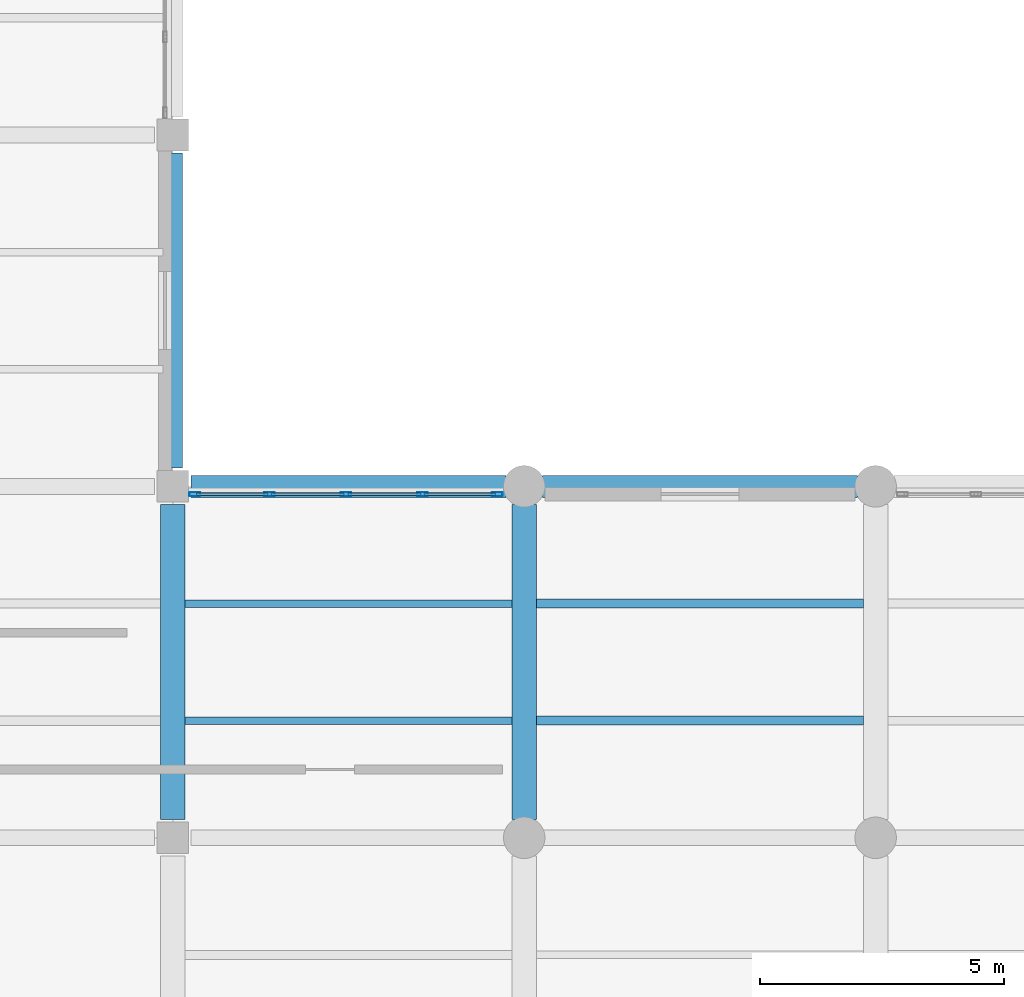
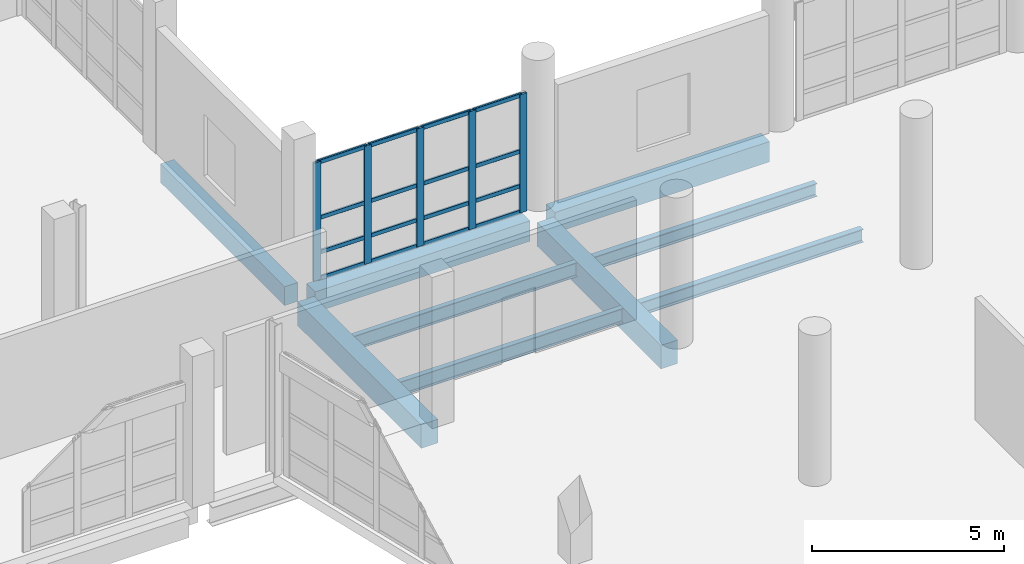
# One storey, part 72 of 127: 21 members, 9 beams, 1 element without a shape of its own.
"""IFC4 building model written with IfcOpenShell, lengths in metres."""

from ifc_helpers import new_model, si_unit, direction, frame, origin, origin_2d, place, context, subcontext, project, spatial, rectangle, hollow_rectangle, i_section, extrude, material, material_profile, profile_set, type_object, element, aggregate, save


model = new_model("IFC4")

# Units and contexts
model_context = context("Model", 3, precision=1e-05, world=origin(), true_north=direction((0.0, 1.0)))
body_context = subcontext(model_context, "Body", "Model", "MODEL_VIEW")
ifc_project = project(units=[si_unit("LENGTHUNIT", "METRE"), si_unit("AREAUNIT", "SQUARE_METRE"), si_unit("VOLUMEUNIT", "CUBIC_METRE"), si_unit("PLANEANGLEUNIT", "RADIAN"), si_unit("MASSUNIT", "GRAM", prefix="KILO")], contexts=[model_context])

# Site, building, storey
site_placement = place(None, origin())
site = spatial("IfcSite", under=ifc_project, at=site_placement, CompositionType="ELEMENT")
building_placement = place(site_placement, origin())
building = spatial("IfcBuilding", under=site, at=building_placement, Name="Kalmorath City Hall", CompositionType="ELEMENT")
storey_placement = place(building_placement, frame((0.0, 0.0, 5.39990234375)))
storey = spatial("IfcBuildingStorey", under=building, at=storey_placement, Name="L01", CompositionType="ELEMENT", Elevation=5.39990234375)

# Beams
ifc_material_1 = material(Name="Concrete C40/50", Category="concrete")
ifc_material_profile_1 = material_profile(ifc_material_1, rectangle(XDim=0.39990234375, YDim=0.60009765625, at=origin_2d()), Name="RC-BM-400X600")
ifc_profile_set_1 = profile_set([ifc_material_profile_1], Name="Concrete C40/50")
beam_type_1 = type_object("IfcBeamType", Name="Concrete edge beam 400x600", PredefinedType="SPANDREL", material=ifc_profile_set_1)
beam_placement = place(storey_placement, frame((129.60009765625, 101.175048828125, -0.6240234375), z_axis=(0.0, 1.0, 0.0), x_axis=(-1.0, 0.0, 0.0)))
element("IfcBeam", 1, at=beam_placement, inside=storey, type_object=beam_type_1, Name="L01 girder CB6 Y19/15-16", PredefinedType="SPANDREL", context=body_context, shape_type="SweptSolid", body=[
    extrude(rectangle(XDim=0.39990234375, YDim=0.60009765625, at=origin_2d()), origin(), (0.0, 0.0, 1.0), 6.449951171875),
])
ifc_material_2 = material(Name="Concrete C40/50", Category="concrete")
ifc_material_profile_2 = material_profile(ifc_material_2, rectangle(XDim=0.5, YDim=0.75, at=origin_2d()), Name="RC-BM-500X750")
ifc_profile_set_2 = profile_set([ifc_material_profile_2], Name="Concrete C40/50")
beam_type_2 = type_object("IfcBeamType", Name="Concrete floor beam 500x750", PredefinedType="BEAM", material=ifc_profile_set_2)
for number, where, z_axis, x_axis, name in (
    (2, (129.60009765625, 93.97509765625, -0.698974609375), (0.0, 1.0, 0.0), (-1.0, 0.0, 0.0), "L01 girder CB3 Y19/14-15"),
    (3, (136.800048828125, 93.97509765625, -0.698974609375), (0.0, 1.0, 0.0), (-1.0, 0.0, 0.0), "L01 girder CB3 Y20/14-15"),
):
    element("IfcBeam", number, at=place(storey_placement, frame(where, z_axis=z_axis, x_axis=x_axis)), inside=storey, type_object=beam_type_2, Name=name, PredefinedType="BEAM", context=body_context, shape_type="SweptSolid", body=[
        extrude(rectangle(XDim=0.5, YDim=0.75, at=origin_2d()), origin(), (0.0, 0.0, 1.0), 6.449951171875),
    ])
ifc_material_3 = material(Name="Concrete C40/50", Category="concrete")
ifc_material_profile_3 = material_profile(ifc_material_3, rectangle(XDim=0.449951171875, YDim=0.64990234375, at=origin_2d()), Name="RC-BM-450X650")
ifc_profile_set_3 = profile_set([ifc_material_profile_3], Name="Concrete C40/50")
beam_type_3 = type_object("IfcBeamType", Name="Concrete spandrel beam 450x650", PredefinedType="SPANDREL", material=ifc_profile_set_3)
for number, where, z_axis, x_axis, name in (
    (4, (129.97509765625, 100.800048828125, -0.64892578125), (1.0, 0.0, 0.0), (0.0, 1.0, 0.0), "L01 girder CB5 X19-20/15"),
    (5, (137.175048828125, 100.800048828125, -0.64892578125), (1.0, 0.0, 0.0), (0.0, 1.0, 0.0), "L01 girder CB5 X20-21/15"),
):
    element("IfcBeam", number, at=place(storey_placement, frame(where, z_axis=z_axis, x_axis=x_axis)), inside=storey, type_object=beam_type_3, Name=name, PredefinedType="SPANDREL", context=body_context, shape_type="SweptSolid", body=[
        extrude(rectangle(XDim=0.449951171875, YDim=0.64990234375, at=origin_2d()), origin(), (0.0, 0.0, 1.0), 6.449951171875),
    ])

# Curtain wall, members
ifc_material_4 = material(Name="Anodised aluminium and laminated glass", Category="aluminium")
curtain_wall_type = type_object("IfcCurtainWallType", Name="Unitised hurricane curtain wall 6270x3751 M1650", PredefinedType="NOTDEFINED", material=ifc_material_4)
curtain_wall_placement = place(storey_placement, origin())
curtain_wall = element("IfcCurtainWall", 6, at=curtain_wall_placement, inside=storey, type_object=curtain_wall_type, Name="L01 curtain wall CW-63X38M16 #60", PredefinedType="NOTDEFINED")
ifc_material_5 = material(Name="Anodised aluminium framing", Category="aluminium")
ifc_material_profile_4 = material_profile(ifc_material_5, hollow_rectangle(XDim=0.06005859375, YDim=0.1298828125, WallThickness=0.00341796875, InnerFilletRadius=0.00341796875, OuterFilletRadius=0.007080078125, at=origin_2d()), Name="ALU-TRN-130X60X3.5")
ifc_profile_set_4 = profile_set([ifc_material_profile_4], Name="Anodised aluminium framing")
member_type_1 = type_object("IfcMemberType", Name="Curtain-wall courtyard transom 130x60", PredefinedType="USERDEFINED", material=ifc_profile_set_4)
member_1_placement = place(storey_placement, frame((130.090087890625, 100.639892578125, 0.030029296875), z_axis=(1.0, 0.0, 0.0), x_axis=(0.0, 1.0, 0.0)))
member_1 = element("IfcMember", 7, at=member_1_placement, type_object=member_type_1, Name="CW-63X38M16 transom 1.1", ObjectType="TRANSOM", PredefinedType="USERDEFINED", context=body_context, shape_type="SweptSolid", body=[
    extrude(hollow_rectangle(XDim=0.06005859375, YDim=0.1298828125, WallThickness=0.00341796875, InnerFilletRadius=0.00341796875, OuterFilletRadius=0.007080078125, at=origin_2d()), origin(), (0.0, 0.0, 1.0), 1.454833984375),
])
member_2_placement = place(storey_placement, frame((130.090087890625, 100.639892578125, 0.85009765625), z_axis=(1.0, 0.0, 0.0), x_axis=(0.0, 1.0, 0.0)))
member_2 = element("IfcMember", 8, at=member_2_placement, type_object=member_type_1, Name="CW-63X38M16 transom 1.2", ObjectType="TRANSOM", PredefinedType="USERDEFINED", context=body_context, shape_type="SweptSolid", body=[
    extrude(hollow_rectangle(XDim=0.06005859375, YDim=0.1298828125, WallThickness=0.00341796875, InnerFilletRadius=0.00341796875, OuterFilletRadius=0.007080078125, at=origin_2d()), origin(), (0.0, 0.0, 1.0), 1.454833984375),
])
member_3_placement = place(storey_placement, frame((130.090087890625, 100.639892578125, 1.951171875), z_axis=(1.0, 0.0, 0.0), x_axis=(0.0, 1.0, 0.0)))
member_3 = element("IfcMember", 9, at=member_3_placement, type_object=member_type_1, Name="CW-63X38M16 transom 1.3", ObjectType="TRANSOM", PredefinedType="USERDEFINED", context=body_context, shape_type="SweptSolid", body=[
    extrude(hollow_rectangle(XDim=0.06005859375, YDim=0.1298828125, WallThickness=0.00341796875, InnerFilletRadius=0.00341796875, OuterFilletRadius=0.007080078125, at=origin_2d()), origin(), (0.0, 0.0, 1.0), 1.454833984375),
])
member_4_placement = place(storey_placement, frame((130.090087890625, 100.639892578125, 3.72119140625), z_axis=(1.0, 0.0, 0.0), x_axis=(0.0, 1.0, 0.0)))
member_4 = element("IfcMember", 10, at=member_4_placement, type_object=member_type_1, Name="CW-63X38M16 transom 1.4", ObjectType="TRANSOM", PredefinedType="USERDEFINED", context=body_context, shape_type="SweptSolid", body=[
    extrude(hollow_rectangle(XDim=0.06005859375, YDim=0.1298828125, WallThickness=0.00341796875, InnerFilletRadius=0.00341796875, OuterFilletRadius=0.007080078125, at=origin_2d()), origin(), (0.0, 0.0, 1.0), 1.454833984375),
])
member_5_placement = place(storey_placement, frame((131.6201171875, 100.639892578125, 0.030029296875), z_axis=(1.0, 0.0, 0.0), x_axis=(0.0, 1.0, 0.0)))
member_5 = element("IfcMember", 11, at=member_5_placement, type_object=member_type_1, Name="CW-63X38M16 transom 2.1", ObjectType="TRANSOM", PredefinedType="USERDEFINED", context=body_context, shape_type="SweptSolid", body=[
    extrude(hollow_rectangle(XDim=0.06005859375, YDim=0.1298828125, WallThickness=0.00341796875, InnerFilletRadius=0.00341796875, OuterFilletRadius=0.007080078125, at=origin_2d()), origin(), (0.0, 0.0, 1.0), 1.492431640625),
])
member_6_placement = place(storey_placement, frame((131.6201171875, 100.639892578125, 0.85009765625), z_axis=(1.0, 0.0, 0.0), x_axis=(0.0, 1.0, 0.0)))
member_6 = element("IfcMember", 12, at=member_6_placement, type_object=member_type_1, Name="CW-63X38M16 transom 2.2", ObjectType="TRANSOM", PredefinedType="USERDEFINED", context=body_context, shape_type="SweptSolid", body=[
    extrude(hollow_rectangle(XDim=0.06005859375, YDim=0.1298828125, WallThickness=0.00341796875, InnerFilletRadius=0.00341796875, OuterFilletRadius=0.007080078125, at=origin_2d()), origin(), (0.0, 0.0, 1.0), 1.492431640625),
])
member_7_placement = place(storey_placement, frame((131.6201171875, 100.639892578125, 1.951171875), z_axis=(1.0, 0.0, 0.0), x_axis=(0.0, 1.0, 0.0)))
member_7 = element("IfcMember", 13, at=member_7_placement, type_object=member_type_1, Name="CW-63X38M16 transom 2.3", ObjectType="TRANSOM", PredefinedType="USERDEFINED", context=body_context, shape_type="SweptSolid", body=[
    extrude(hollow_rectangle(XDim=0.06005859375, YDim=0.1298828125, WallThickness=0.00341796875, InnerFilletRadius=0.00341796875, OuterFilletRadius=0.007080078125, at=origin_2d()), origin(), (0.0, 0.0, 1.0), 1.492431640625),
])
member_8_placement = place(storey_placement, frame((131.6201171875, 100.639892578125, 3.72119140625), z_axis=(1.0, 0.0, 0.0), x_axis=(0.0, 1.0, 0.0)))
member_8 = element("IfcMember", 14, at=member_8_placement, type_object=member_type_1, Name="CW-63X38M16 transom 2.4", ObjectType="TRANSOM", PredefinedType="USERDEFINED", context=body_context, shape_type="SweptSolid", body=[
    extrude(hollow_rectangle(XDim=0.06005859375, YDim=0.1298828125, WallThickness=0.00341796875, InnerFilletRadius=0.00341796875, OuterFilletRadius=0.007080078125, at=origin_2d()), origin(), (0.0, 0.0, 1.0), 1.492431640625),
])
member_9_placement = place(storey_placement, frame((133.1875, 100.639892578125, 0.030029296875), z_axis=(1.0, 0.0, 0.0), x_axis=(0.0, 1.0, 0.0)))
member_9 = element("IfcMember", 15, at=member_9_placement, type_object=member_type_1, Name="CW-63X38M16 transom 3.1", ObjectType="TRANSOM", PredefinedType="USERDEFINED", context=body_context, shape_type="SweptSolid", body=[
    extrude(hollow_rectangle(XDim=0.06005859375, YDim=0.1298828125, WallThickness=0.00341796875, InnerFilletRadius=0.00341796875, OuterFilletRadius=0.007080078125, at=origin_2d()), origin(), (0.0, 0.0, 1.0), 1.492431640625),
])
member_10_placement = place(storey_placement, frame((133.1875, 100.639892578125, 0.85009765625), z_axis=(1.0, 0.0, 0.0), x_axis=(0.0, 1.0, 0.0)))
member_10 = element("IfcMember", 16, at=member_10_placement, type_object=member_type_1, Name="CW-63X38M16 transom 3.2", ObjectType="TRANSOM", PredefinedType="USERDEFINED", context=body_context, shape_type="SweptSolid", body=[
    extrude(hollow_rectangle(XDim=0.06005859375, YDim=0.1298828125, WallThickness=0.00341796875, InnerFilletRadius=0.00341796875, OuterFilletRadius=0.007080078125, at=origin_2d()), origin(), (0.0, 0.0, 1.0), 1.492431640625),
])
member_11_placement = place(storey_placement, frame((133.1875, 100.639892578125, 1.951171875), z_axis=(1.0, 0.0, 0.0), x_axis=(0.0, 1.0, 0.0)))
member_11 = element("IfcMember", 17, at=member_11_placement, type_object=member_type_1, Name="CW-63X38M16 transom 3.3", ObjectType="TRANSOM", PredefinedType="USERDEFINED", context=body_context, shape_type="SweptSolid", body=[
    extrude(hollow_rectangle(XDim=0.06005859375, YDim=0.1298828125, WallThickness=0.00341796875, InnerFilletRadius=0.00341796875, OuterFilletRadius=0.007080078125, at=origin_2d()), origin(), (0.0, 0.0, 1.0), 1.492431640625),
])
member_12_placement = place(storey_placement, frame((133.1875, 100.639892578125, 3.72119140625), z_axis=(1.0, 0.0, 0.0), x_axis=(0.0, 1.0, 0.0)))
member_12 = element("IfcMember", 18, at=member_12_placement, type_object=member_type_1, Name="CW-63X38M16 transom 3.4", ObjectType="TRANSOM", PredefinedType="USERDEFINED", context=body_context, shape_type="SweptSolid", body=[
    extrude(hollow_rectangle(XDim=0.06005859375, YDim=0.1298828125, WallThickness=0.00341796875, InnerFilletRadius=0.00341796875, OuterFilletRadius=0.007080078125, at=origin_2d()), origin(), (0.0, 0.0, 1.0), 1.492431640625),
])
member_13_placement = place(storey_placement, frame((134.7548828125, 100.639892578125, 0.030029296875), z_axis=(1.0, 0.0, 0.0), x_axis=(0.0, 1.0, 0.0)))
member_13 = element("IfcMember", 19, at=member_13_placement, type_object=member_type_1, Name="CW-63X38M16 transom 4.1", ObjectType="TRANSOM", PredefinedType="USERDEFINED", context=body_context, shape_type="SweptSolid", body=[
    extrude(hollow_rectangle(XDim=0.06005859375, YDim=0.1298828125, WallThickness=0.00341796875, InnerFilletRadius=0.00341796875, OuterFilletRadius=0.007080078125, at=origin_2d()), origin(), (0.0, 0.0, 1.0), 1.455078125),
])
member_14_placement = place(storey_placement, frame((134.7548828125, 100.639892578125, 0.85009765625), z_axis=(1.0, 0.0, 0.0), x_axis=(0.0, 1.0, 0.0)))
member_14 = element("IfcMember", 20, at=member_14_placement, type_object=member_type_1, Name="CW-63X38M16 transom 4.2", ObjectType="TRANSOM", PredefinedType="USERDEFINED", context=body_context, shape_type="SweptSolid", body=[
    extrude(hollow_rectangle(XDim=0.06005859375, YDim=0.1298828125, WallThickness=0.00341796875, InnerFilletRadius=0.00341796875, OuterFilletRadius=0.007080078125, at=origin_2d()), origin(), (0.0, 0.0, 1.0), 1.455078125),
])
member_15_placement = place(storey_placement, frame((134.7548828125, 100.639892578125, 1.951171875), z_axis=(1.0, 0.0, 0.0), x_axis=(0.0, 1.0, 0.0)))
member_15 = element("IfcMember", 21, at=member_15_placement, type_object=member_type_1, Name="CW-63X38M16 transom 4.3", ObjectType="TRANSOM", PredefinedType="USERDEFINED", context=body_context, shape_type="SweptSolid", body=[
    extrude(hollow_rectangle(XDim=0.06005859375, YDim=0.1298828125, WallThickness=0.00341796875, InnerFilletRadius=0.00341796875, OuterFilletRadius=0.007080078125, at=origin_2d()), origin(), (0.0, 0.0, 1.0), 1.455078125),
])
member_16_placement = place(storey_placement, frame((134.7548828125, 100.639892578125, 3.72119140625), z_axis=(1.0, 0.0, 0.0), x_axis=(0.0, 1.0, 0.0)))
member_16 = element("IfcMember", 22, at=member_16_placement, type_object=member_type_1, Name="CW-63X38M16 transom 4.4", ObjectType="TRANSOM", PredefinedType="USERDEFINED", context=body_context, shape_type="SweptSolid", body=[
    extrude(hollow_rectangle(XDim=0.06005859375, YDim=0.1298828125, WallThickness=0.00341796875, InnerFilletRadius=0.00341796875, OuterFilletRadius=0.007080078125, at=origin_2d()), origin(), (0.0, 0.0, 1.0), 1.455078125),
])
ifc_material_6 = material(Name="Anodised aluminium framing", Category="aluminium")
ifc_material_profile_5 = material_profile(ifc_material_6, hollow_rectangle(XDim=0.074951171875, YDim=0.219970703125, WallThickness=0.00390625, InnerFilletRadius=0.00390625, OuterFilletRadius=0.008056640625, at=origin_2d()), Name="ALU-MUL-220X75X4")
ifc_profile_set_5 = profile_set([ifc_material_profile_5], Name="Anodised aluminium framing")
member_type_2 = type_object("IfcMemberType", Name="Curtain-wall primary mullion 220x75", PredefinedType="MULLION", material=ifc_profile_set_5)
member_17_placement = place(storey_placement, frame((130.052490234375, 100.639892578125, 0.0), z_axis=(0.0, 0.0, 1.0), x_axis=(0.0, 1.0, 0.0)))
member_17 = element("IfcMember", 23, at=member_17_placement, type_object=member_type_2, Name="CW-63X38M16 mullion 1", PredefinedType="MULLION", context=body_context, shape_type="SweptSolid", body=[
    extrude(hollow_rectangle(XDim=0.074951171875, YDim=0.219970703125, WallThickness=0.00390625, InnerFilletRadius=0.00390625, OuterFilletRadius=0.008056640625, at=origin_2d()), origin(), (0.0, 0.0, 1.0), 3.7509765625),
])
member_18_placement = place(storey_placement, frame((131.58251953125, 100.639892578125, 0.0), z_axis=(0.0, 0.0, 1.0), x_axis=(0.0, 1.0, 0.0)))
member_18 = element("IfcMember", 24, at=member_18_placement, type_object=member_type_2, Name="CW-63X38M16 mullion 2", PredefinedType="MULLION", context=body_context, shape_type="SweptSolid", body=[
    extrude(hollow_rectangle(XDim=0.074951171875, YDim=0.219970703125, WallThickness=0.00390625, InnerFilletRadius=0.00390625, OuterFilletRadius=0.008056640625, at=origin_2d()), origin(), (0.0, 0.0, 1.0), 3.7509765625),
])
member_19_placement = place(storey_placement, frame((133.14990234375, 100.639892578125, 0.0), z_axis=(0.0, 0.0, 1.0), x_axis=(0.0, 1.0, 0.0)))
member_19 = element("IfcMember", 25, at=member_19_placement, type_object=member_type_2, Name="CW-63X38M16 mullion 3", PredefinedType="MULLION", context=body_context, shape_type="SweptSolid", body=[
    extrude(hollow_rectangle(XDim=0.074951171875, YDim=0.219970703125, WallThickness=0.00390625, InnerFilletRadius=0.00390625, OuterFilletRadius=0.008056640625, at=origin_2d()), origin(), (0.0, 0.0, 1.0), 3.7509765625),
])
member_20_placement = place(storey_placement, frame((134.717529296875, 100.639892578125, 0.0), z_axis=(0.0, 0.0, 1.0), x_axis=(0.0, 1.0, 0.0)))
member_20 = element("IfcMember", 26, at=member_20_placement, type_object=member_type_2, Name="CW-63X38M16 mullion 4", PredefinedType="MULLION", context=body_context, shape_type="SweptSolid", body=[
    extrude(hollow_rectangle(XDim=0.074951171875, YDim=0.219970703125, WallThickness=0.00390625, InnerFilletRadius=0.00390625, OuterFilletRadius=0.008056640625, at=origin_2d()), origin(), (0.0, 0.0, 1.0), 3.7509765625),
])
member_21_placement = place(storey_placement, frame((136.24755859375, 100.639892578125, 0.0), z_axis=(0.0, 0.0, 1.0), x_axis=(0.0, 1.0, 0.0)))
member_21 = element("IfcMember", 27, at=member_21_placement, type_object=member_type_2, Name="CW-63X38M16 mullion 5", PredefinedType="MULLION", context=body_context, shape_type="SweptSolid", body=[
    extrude(hollow_rectangle(XDim=0.074951171875, YDim=0.219970703125, WallThickness=0.00390625, InnerFilletRadius=0.00390625, OuterFilletRadius=0.008056640625, at=origin_2d()), origin(), (0.0, 0.0, 1.0), 3.7509765625),
])
aggregate(curtain_wall, [member_17, member_18, member_19, member_20, member_21, member_1, member_2, member_3, member_4, member_5, member_6, member_7, member_8, member_9, member_10, member_11, member_12, member_13, member_14, member_15, member_16])

# Beams
ifc_material_7 = material(Name="Steel ASTM A992 Grade 50", Category="steel")
ifc_material_profile_6 = material_profile(ifc_material_7, i_section(OverallWidth=0.180908203125, OverallDepth=0.4169921875, WebThickness=0.010986328125, FlangeThickness=0.018310546875, FilletRadius=0.012939453125, at=origin_2d()), Name="W16X57")
ifc_profile_set_6 = profile_set([ifc_material_profile_6], Name="Steel ASTM A992 Grade 50")
beam_type_4 = type_object("IfcBeamType", Name="Steel composite joist W16X57", PredefinedType="JOIST", material=ifc_profile_set_6)
for number, where, z_axis, x_axis, name in (
    (28, (137.050048828125, 96.0, -0.532470703125), (1.0, 0.0, 0.0), (0.0, 1.0, 0.0), "L01 joist SJ5 20.14.1"),
    (29, (137.050048828125, 98.39990234375, -0.532470703125), (1.0, 0.0, 0.0), (0.0, 1.0, 0.0), "L01 joist SJ5 20.14.2"),
):
    element("IfcBeam", number, at=place(storey_placement, frame(where, z_axis=z_axis, x_axis=x_axis)), inside=storey, type_object=beam_type_4, Name=name, PredefinedType="JOIST", context=body_context, shape_type="SweptSolid", body=[
        extrude(i_section(OverallWidth=0.180908203125, OverallDepth=0.4169921875, WebThickness=0.010986328125, FlangeThickness=0.018310546875, FilletRadius=0.012939453125, at=origin_2d()), origin(), (0.0, 0.0, 1.0), 6.699951171875),
    ])
ifc_material_8 = material(Name="Steel ASTM A992 Grade 50", Category="steel")
ifc_material_profile_7 = material_profile(ifc_material_8, i_section(OverallWidth=0.153076171875, OverallDepth=0.455078125, WebThickness=0.008056640625, FlangeThickness=0.01318359375, FilletRadius=0.013916015625, at=origin_2d()), Name="W18X40")
ifc_profile_set_7 = profile_set([ifc_material_profile_7], Name="Steel ASTM A992 Grade 50")
beam_type_5 = type_object("IfcBeamType", Name="Steel composite joist W18X40", PredefinedType="JOIST", material=ifc_profile_set_7)
for number, where, z_axis, x_axis, name in (
    (30, (129.85009765625, 96.0, -0.551513671875), (1.0, 0.0, 0.0), (0.0, 1.0, 0.0), "L01 joist SJ4 19.14.1"),
    (31, (129.85009765625, 98.39990234375, -0.551513671875), (1.0, 0.0, 0.0), (0.0, 1.0, 0.0), "L01 joist SJ4 19.14.2"),
):
    element("IfcBeam", number, at=place(storey_placement, frame(where, z_axis=z_axis, x_axis=x_axis)), inside=storey, type_object=beam_type_5, Name=name, PredefinedType="JOIST", context=body_context, shape_type="SweptSolid", body=[
        extrude(i_section(OverallWidth=0.153076171875, OverallDepth=0.455078125, WebThickness=0.008056640625, FlangeThickness=0.01318359375, FilletRadius=0.013916015625, at=origin_2d()), origin(), (0.0, 0.0, 1.0), 6.699951171875),
    ])

save(model, "model.ifc")
